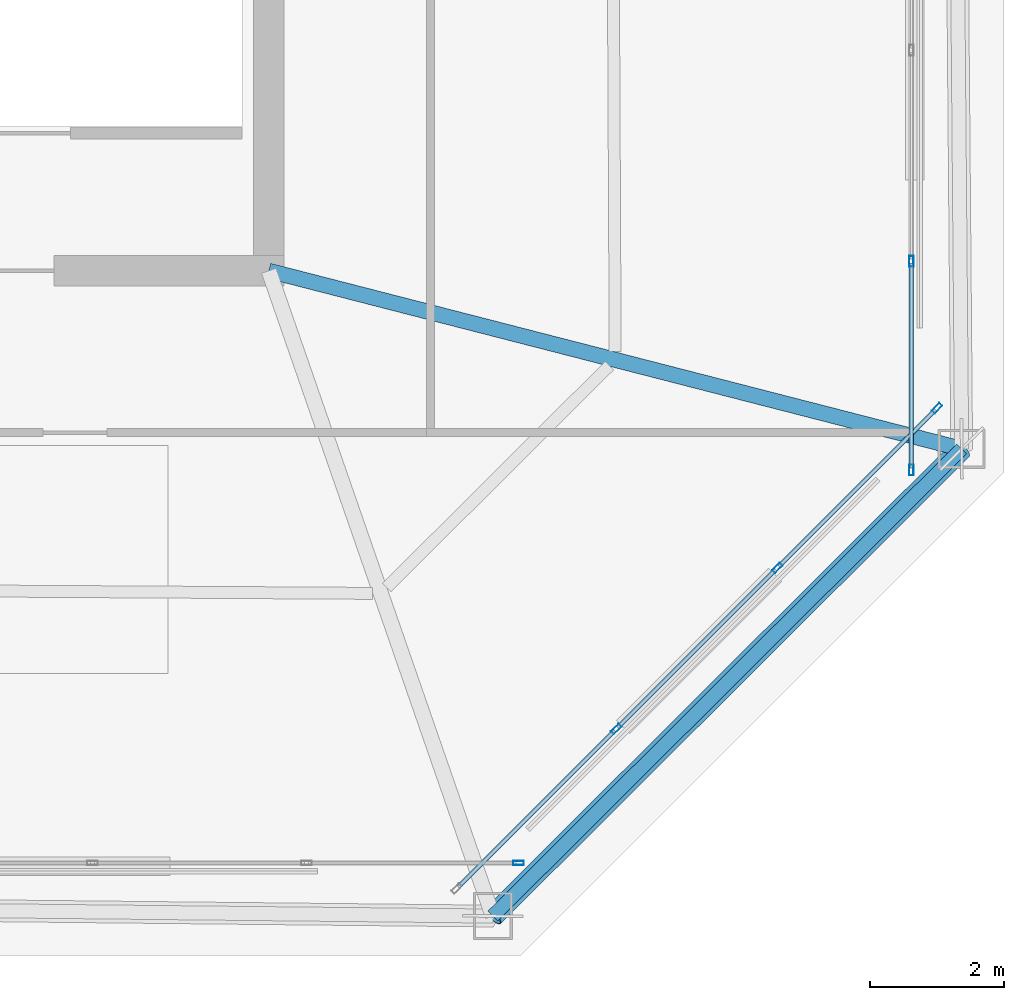
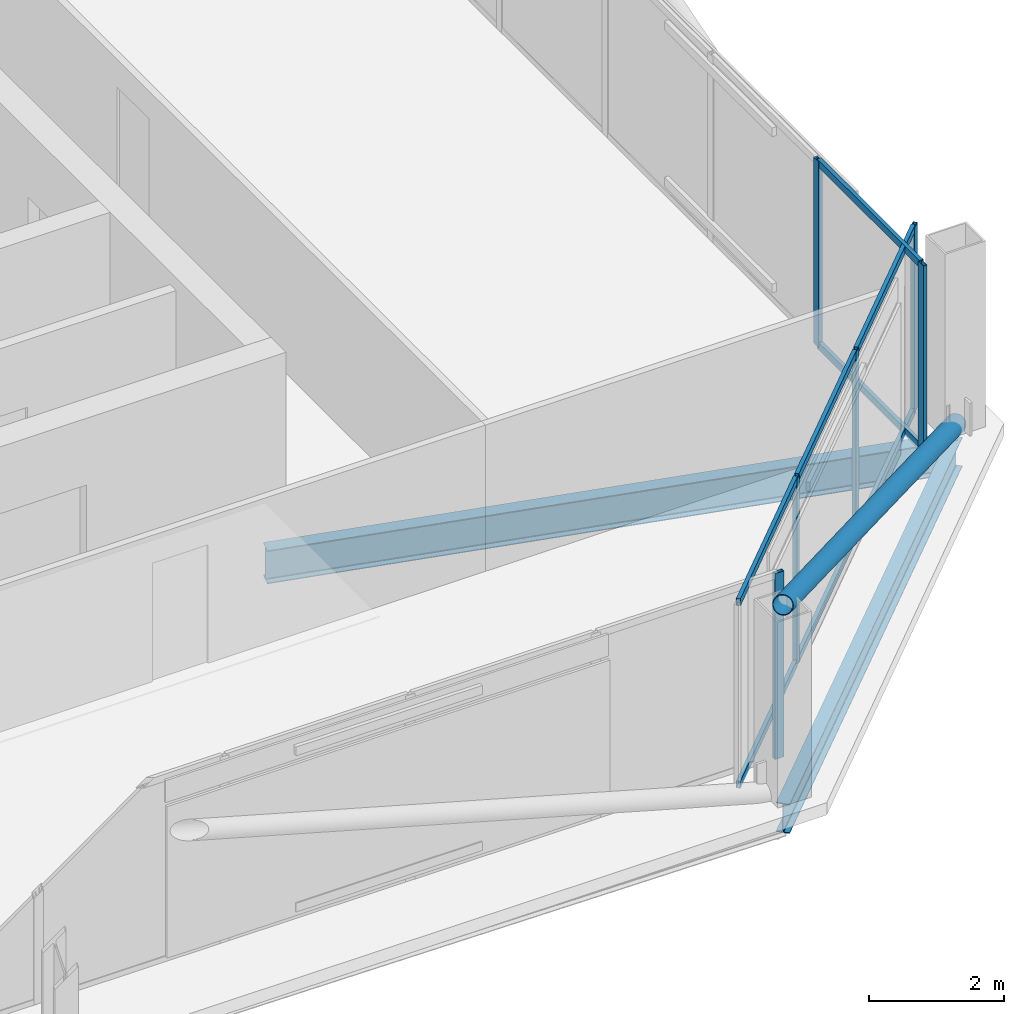
# One storey, part 15 of 26: 15 members, 2 beams, 3 elements without a shape of their own.
"""IFC4 building model written with IfcOpenShell, lengths in metres."""

from ifc_helpers import new_model, si_unit, direction, frame, origin, origin_2d, place, context, subcontext, project, spatial, hollow_rectangle, hollow_circle, i_section, extrude, material, layer, layer_set, material_profile, profile_set, type_object, element, aggregate, save


model = new_model("IFC4")

# Units and contexts
model_context = context("Model", 3, precision=1e-05, world=origin(), true_north=direction((0.0, 1.0)))
body_context = subcontext(model_context, "Body", "Model", "MODEL_VIEW")
ifc_project = project(units=[si_unit("LENGTHUNIT", "METRE"), si_unit("AREAUNIT", "SQUARE_METRE"), si_unit("VOLUMEUNIT", "CUBIC_METRE"), si_unit("PLANEANGLEUNIT", "RADIAN"), si_unit("MASSUNIT", "GRAM", prefix="KILO")], contexts=[model_context])

# Site, building, storey
site_placement = place(None, origin())
site = spatial("IfcSite", under=ifc_project, at=site_placement, CompositionType="ELEMENT")
building_placement = place(site_placement, origin())
building = spatial("IfcBuilding", under=site, at=building_placement, Name="Caelvoria Tower", CompositionType="ELEMENT")
storey_placement = place(building_placement, frame((0.0, 0.0, 239.39990234375)))
storey = spatial("IfcBuildingStorey", under=building, at=storey_placement, Name="L63", CompositionType="ELEMENT", Elevation=239.39990234375)

# Curtain wall, member
ifc_material_1 = material(Name="Anodised Bronze Aluminium and Low-E Glass", Category="aluminium")
ifc_layer = layer(ifc_material_1, 0.175048828125, Name="Anodised Bronze Aluminium and Low-E Glass")
ifc_layer_set = layer_set([ifc_layer], Name="CW System 4 High-Zone Tapered Crystal Facade - Anodised Bronze Aluminium and Low-E Glass")
curtain_wall_type = type_object("IfcCurtainWallType", Name="CW System 4 High-Zone Tapered Crystal Facade", PredefinedType="NOTDEFINED", material=ifc_layer_set)
curtain_wall_1_placement = place(storey_placement, origin())
curtain_wall_1 = element("IfcCurtainWall", 1, at=curtain_wall_1_placement, inside=storey, type_object=curtain_wall_type, Name="CW-04 Curtain Wall L63-E0", PredefinedType="NOTDEFINED")
ifc_material_2 = material(Name="Anodised Bronze Architectural Aluminium", Category="aluminium")
ifc_material_profile_1 = material_profile(ifc_material_2, hollow_rectangle(XDim=0.06494140625, YDim=0.159912109375, WallThickness=0.00390625, at=origin_2d()), Name="Anodised Bronze Architectural Aluminium")
ifc_profile_set_1 = profile_set([ifc_material_profile_1], Name="CW_MULL_65X160 - Anodised Bronze Architectural Aluminium")
member_type_1 = type_object("IfcMemberType", Name="Curtain Wall Mullion 65x160 Bronze Aluminium", PredefinedType="MULLION", material=ifc_profile_set_1)
member_1_placement = place(storey_placement, frame((58.717529296875, 15.179931640625, 0.0), z_axis=(0.0, 0.0, 1.0), x_axis=(0.0, 1.0, 0.0)))
member_1 = element("IfcMember", 2, at=member_1_placement, type_object=member_type_1, Name="CW-04 mullion 9", PredefinedType="MULLION", context=body_context, shape_type="SweptSolid", body=[
    extrude(hollow_rectangle(XDim=0.06494140625, YDim=0.159912109375, WallThickness=0.00390625, at=origin_2d()), origin(), (0.0, 0.0, 1.0), 3.375),
])
aggregate(curtain_wall_1, [member_1])

# Curtain wall, members
curtain_wall_2_placement = place(storey_placement, origin())
curtain_wall_2 = element("IfcCurtainWall", 3, at=curtain_wall_2_placement, inside=storey, type_object=curtain_wall_type, Name="CW-04 Curtain Wall L63-E1", PredefinedType="NOTDEFINED")
member_2_placement = place(storey_placement, frame((60.17431640625, 17.17578125, 0.0), z_axis=(0.0, 0.0, 1.0), x_axis=(-0.707106781187, 0.707106781187, 0.0)))
member_2 = element("IfcMember", 4, at=member_2_placement, type_object=member_type_1, Name="CW-04 mullion 2", PredefinedType="MULLION", context=body_context, shape_type="SweptSolid", body=[
    extrude(hollow_rectangle(XDim=0.06494140625, YDim=0.159912109375, WallThickness=0.00390625, at=origin_2d()), origin(), (0.0, 0.0, 1.0), 3.375),
])
member_3_placement = place(storey_placement, frame((62.57421875, 19.57568359375, 0.0), z_axis=(0.0, 0.0, 1.0), x_axis=(-0.707106781187, 0.707106781187, 0.0)))
member_3 = element("IfcMember", 5, at=member_3_placement, type_object=member_type_1, Name="CW-04 mullion 3", PredefinedType="MULLION", context=body_context, shape_type="SweptSolid", body=[
    extrude(hollow_rectangle(XDim=0.06494140625, YDim=0.159912109375, WallThickness=0.00390625, at=origin_2d()), origin(), (0.0, 0.0, 1.0), 3.375),
])
member_4_placement = place(storey_placement, frame((64.951171875, 21.952880859375, 0.0), z_axis=(0.0, 0.0, 1.0), x_axis=(-0.707106781187, 0.707106781187, 0.0)))
member_4 = element("IfcMember", 6, at=member_4_placement, type_object=member_type_1, Name="CW-04 mullion 4", PredefinedType="MULLION", context=body_context, shape_type="SweptSolid", body=[
    extrude(hollow_rectangle(XDim=0.06494140625, YDim=0.159912109375, WallThickness=0.00390625, at=origin_2d()), origin(), (0.0, 0.0, 1.0), 3.375),
])

curtain_wall_3_placement = place(storey_placement, origin())
curtain_wall_3 = element("IfcCurtainWall", 7, at=curtain_wall_3_placement, inside=storey, type_object=curtain_wall_type, Name="CW-04 Curtain Wall L63-E2", PredefinedType="NOTDEFINED")
member_5_placement = place(storey_placement, frame((64.570068359375, 21.032470703125, 0.0), z_axis=(0.0, 0.0, 1.0), x_axis=(-1.0, 0.0, 0.0)))
member_5 = element("IfcMember", 8, at=member_5_placement, type_object=member_type_1, Name="CW-04 mullion 1", PredefinedType="MULLION", context=body_context, shape_type="SweptSolid", body=[
    extrude(hollow_rectangle(XDim=0.06494140625, YDim=0.159912109375, WallThickness=0.00390625, at=origin_2d()), origin(), (0.0, 0.0, 1.0), 3.375),
])
member_6_placement = place(storey_placement, frame((64.570068359375, 24.142822265625, 0.0), z_axis=(0.0, 0.0, 1.0), x_axis=(-1.0, 0.0, 0.0)))
member_6 = element("IfcMember", 9, at=member_6_placement, type_object=member_type_1, Name="CW-04 mullion 2", PredefinedType="MULLION", context=body_context, shape_type="SweptSolid", body=[
    extrude(hollow_rectangle(XDim=0.06494140625, YDim=0.159912109375, WallThickness=0.00390625, at=origin_2d()), origin(), (0.0, 0.0, 1.0), 3.375),
])

# Member
ifc_material_profile_2 = material_profile(ifc_material_2, hollow_rectangle(XDim=0.06494140625, YDim=0.1298828125, WallThickness=0.00341796875, at=origin_2d()), Name="Anodised Bronze Architectural Aluminium")
ifc_profile_set_2 = profile_set([ifc_material_profile_2], Name="CW_TRAN_65X130 - Anodised Bronze Architectural Aluminium")
member_type_2 = type_object("IfcMemberType", Name="Curtain Wall Transom 65x130 Bronze Aluminium", PredefinedType="USERDEFINED", material=ifc_profile_set_2)
member_7_placement = place(storey_placement, frame((57.820068359375, 14.82177734375, 0.03271484375), z_axis=(0.707106781187, 0.707106781187, 0.0), x_axis=(-0.707106781187, 0.707106781187, 0.0)))
member_7 = element("IfcMember", 10, at=member_7_placement, type_object=member_type_2, Name="CW-04 transom 1.1", ObjectType="TRANSOM", PredefinedType="USERDEFINED", context=body_context, shape_type="SweptSolid", body=[
    extrude(hollow_rectangle(XDim=0.06494140625, YDim=0.1298828125, WallThickness=0.00341796875, at=origin_2d()), origin(), (0.0, 0.0, 1.0), 3.296630859375),
])

member_8_placement = place(storey_placement, frame((57.820068359375, 14.82177734375, 3.342529296875), z_axis=(0.707106781187, 0.707106781187, 0.0), x_axis=(-0.707106781187, 0.707106781187, 0.0)))
member_8 = element("IfcMember", 11, at=member_8_placement, type_object=member_type_2, Name="CW-04 transom 1.2", ObjectType="TRANSOM", PredefinedType="USERDEFINED", context=body_context, shape_type="SweptSolid", body=[
    extrude(hollow_rectangle(XDim=0.06494140625, YDim=0.1298828125, WallThickness=0.00341796875, at=origin_2d()), origin(), (0.0, 0.0, 1.0), 3.296630859375),
])

member_9_placement = place(storey_placement, frame((60.197265625, 17.19873046875, 0.03271484375), z_axis=(0.707106781187, 0.707106781187, 0.0), x_axis=(-0.707106781187, 0.707106781187, 0.0)))
member_9 = element("IfcMember", 12, at=member_9_placement, type_object=member_type_2, Name="CW-04 transom 2.1", ObjectType="TRANSOM", PredefinedType="USERDEFINED", context=body_context, shape_type="SweptSolid", body=[
    extrude(hollow_rectangle(XDim=0.06494140625, YDim=0.1298828125, WallThickness=0.00341796875, at=origin_2d()), origin(), (0.0, 0.0, 1.0), 3.3291015625),
])

member_10_placement = place(storey_placement, frame((60.197265625, 17.19873046875, 3.342529296875), z_axis=(0.707106781187, 0.707106781187, 0.0), x_axis=(-0.707106781187, 0.707106781187, 0.0)))
member_10 = element("IfcMember", 13, at=member_10_placement, type_object=member_type_2, Name="CW-04 transom 2.2", ObjectType="TRANSOM", PredefinedType="USERDEFINED", context=body_context, shape_type="SweptSolid", body=[
    extrude(hollow_rectangle(XDim=0.06494140625, YDim=0.1298828125, WallThickness=0.00341796875, at=origin_2d()), origin(), (0.0, 0.0, 1.0), 3.3291015625),
])

member_11_placement = place(storey_placement, frame((62.59716796875, 19.598876953125, 0.03271484375), z_axis=(0.707106781187, 0.707106781187, 0.0), x_axis=(-0.707106781187, 0.707106781187, 0.0)))
member_11 = element("IfcMember", 14, at=member_11_placement, type_object=member_type_2, Name="CW-04 transom 3.1", ObjectType="TRANSOM", PredefinedType="USERDEFINED", context=body_context, shape_type="SweptSolid", body=[
    extrude(hollow_rectangle(XDim=0.06494140625, YDim=0.1298828125, WallThickness=0.00341796875, at=origin_2d()), origin(), (0.0, 0.0, 1.0), 3.296630859375),
])

member_12_placement = place(storey_placement, frame((62.59716796875, 19.598876953125, 3.342529296875), z_axis=(0.707106781187, 0.707106781187, 0.0), x_axis=(-0.707106781187, 0.707106781187, 0.0)))
member_12 = element("IfcMember", 15, at=member_12_placement, type_object=member_type_2, Name="CW-04 transom 3.2", ObjectType="TRANSOM", PredefinedType="USERDEFINED", context=body_context, shape_type="SweptSolid", body=[
    extrude(hollow_rectangle(XDim=0.06494140625, YDim=0.1298828125, WallThickness=0.00341796875, at=origin_2d()), origin(), (0.0, 0.0, 1.0), 3.296630859375),
])

aggregate(curtain_wall_2, [member_2, member_3, member_4, member_7, member_8, member_9, member_10, member_11, member_12])

member_13_placement = place(storey_placement, frame((64.570068359375, 21.06494140625, 0.03271484375), z_axis=(0.0, 1.0, 0.0), x_axis=(-1.0, 0.0, 0.0)))
member_13 = element("IfcMember", 16, at=member_13_placement, type_object=member_type_2, Name="CW-04 transom 1.1", ObjectType="TRANSOM", PredefinedType="USERDEFINED", context=body_context, shape_type="SweptSolid", body=[
    extrude(hollow_rectangle(XDim=0.06494140625, YDim=0.1298828125, WallThickness=0.00341796875, at=origin_2d()), origin(), (0.0, 0.0, 1.0), 3.04541015625),
])

member_14_placement = place(storey_placement, frame((64.570068359375, 21.06494140625, 3.342529296875), z_axis=(0.0, 1.0, 0.0), x_axis=(-1.0, 0.0, 0.0)))
member_14 = element("IfcMember", 17, at=member_14_placement, type_object=member_type_2, Name="CW-04 transom 1.2", ObjectType="TRANSOM", PredefinedType="USERDEFINED", context=body_context, shape_type="SweptSolid", body=[
    extrude(hollow_rectangle(XDim=0.06494140625, YDim=0.1298828125, WallThickness=0.00341796875, at=origin_2d()), origin(), (0.0, 0.0, 1.0), 3.04541015625),
])

aggregate(curtain_wall_3, [member_5, member_6, member_13, member_14])

# Beam
ifc_material_3 = material(Name="Structural Steel ASTM A992 Gr.50", Category="steel")
ifc_material_profile_3 = material_profile(ifc_material_3, i_section(OverallWidth=0.22802734375, OverallDepth=0.60302734375, WebThickness=0.010498046875, FlangeThickness=0.014892578125, FilletRadius=0.01806640625, at=origin_2d()), Name="Structural Steel ASTM A992 Gr.50")
ifc_profile_set_3 = profile_set([ifc_material_profile_3], Name="W610X101 - Structural Steel ASTM A992 Gr.50")
beam_type_1 = type_object("IfcBeamType", Name="Primary Floor Girder W610X101", PredefinedType="BEAM", material=ifc_profile_set_3)
beam_1_placement = place(storey_placement, frame((55.0, 24.0, -0.5263671875), z_axis=(0.968521506415, -0.248929892964, 0.0), x_axis=(0.248929892964, 0.968521506415, 0.0)))
element("IfcBeam", 18, at=beam_1_placement, inside=storey, type_object=beam_type_1, Name="Primary Floor Girder L63-03", PredefinedType="BEAM", context=body_context, shape_type="SweptSolid", body=[
    extrude(i_section(OverallWidth=0.22802734375, OverallDepth=0.60302734375, WebThickness=0.010498046875, FlangeThickness=0.014892578125, FilletRadius=0.01806640625, at=origin_2d()), origin(), (0.0, 0.0, 1.0), 10.655029296875),
])

# Member
ifc_material_4 = material(Name="Structural Steel ASTM A572 Gr.50", Category="steel")
ifc_material_profile_4 = material_profile(ifc_material_4, hollow_circle(Radius=0.162109375, WallThickness=0.0126953125, at=origin_2d()), Name="Structural Steel ASTM A572 Gr.50")
ifc_profile_set_4 = profile_set([ifc_material_profile_4], Name="CHS324X12.7 - Structural Steel ASTM A572 Gr.50")
member_type_3 = type_object("IfcMemberType", Name="Summit Perimeter Mega Brace CHS324X12.7", PredefinedType="BRACE", material=ifc_profile_set_4)
member_15_placement = place(storey_placement, frame((65.319580078125, 21.34765625, 0.0), z_axis=(-0.670165562834, -0.667798976986, 0.323917651153), x_axis=(0.705854949612, -0.708356400486, 0.0)))
element("IfcMember", 19, at=member_15_placement, inside=storey, type_object=member_type_3, Name="Perimeter Chamfer Mega Brace L63 SE", PredefinedType="BRACE", context=body_context, shape_type="SweptSolid", body=[
    extrude(hollow_circle(Radius=0.162109375, WallThickness=0.0126953125, at=origin_2d()), origin(), (0.0, 0.0, 1.0), 10.41943359375),
])

# Beam
ifc_material_profile_5 = material_profile(ifc_material_3, i_section(OverallWidth=0.208984375, OverallDepth=0.532958984375, WebThickness=0.01025390625, FlangeThickness=0.015625, FilletRadius=0.01611328125, at=origin_2d()), Name="Structural Steel ASTM A992 Gr.50")
ifc_profile_set_5 = profile_set([ifc_material_profile_5], Name="W530X92 - Structural Steel ASTM A992 Gr.50")
beam_type_2 = type_object("IfcBeamType", Name="Upper Zone Spandrel W530X92", PredefinedType="BEAM", material=ifc_profile_set_5)
beam_2_placement = place(storey_placement, frame((58.3369140625, 14.3896484375, -0.491455078125), z_axis=(0.708356400486, 0.705854949612, 0.0), x_axis=(-0.705854949612, 0.708356400486, 0.0)))
element("IfcBeam", 20, at=beam_2_placement, inside=storey, type_object=beam_type_2, Name="Perimeter Spandrel Girder L63-02", PredefinedType="BEAM", context=body_context, shape_type="SweptSolid", body=[
    extrude(i_section(OverallWidth=0.208984375, OverallDepth=0.532958984375, WebThickness=0.01025390625, FlangeThickness=0.015625, FilletRadius=0.01611328125, at=origin_2d()), origin(), (0.0, 0.0, 1.0), 9.857666015625),
])

save(model, "model.ifc")
